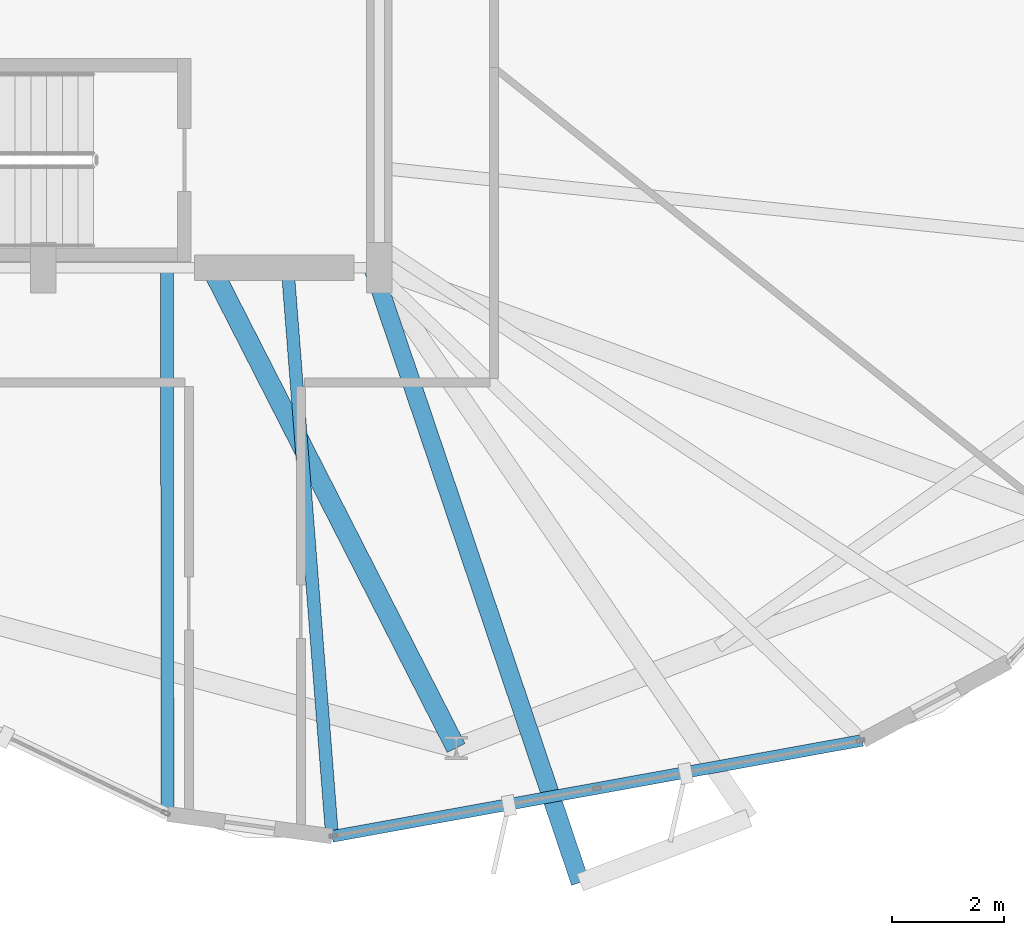
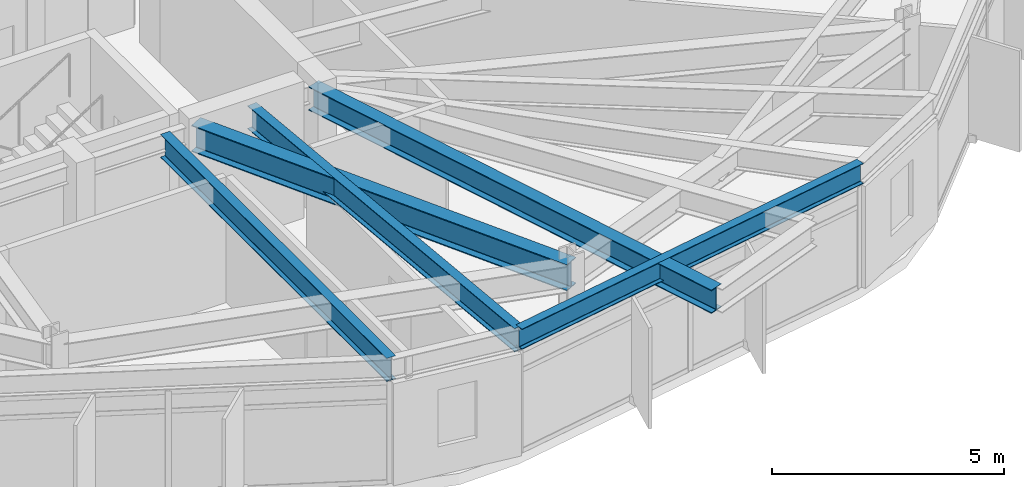
# One storey, part 6 of 27: 5 beams.
"""IFC4 building model written with IfcOpenShell, lengths in metres."""

from ifc_helpers import new_model, si_unit, direction, frame, origin, origin_2d, place, context, subcontext, project, spatial, i_section, extrude, material, material_profile, profile_set, type_object, element, save


model = new_model("IFC4")

# Units and contexts
model_context = context("Model", 3, precision=1e-05, world=origin(), true_north=direction((0.0, 1.0)))
body_context = subcontext(model_context, "Body", "Model", "MODEL_VIEW")
ifc_project = project(units=[si_unit("LENGTHUNIT", "METRE"), si_unit("AREAUNIT", "SQUARE_METRE"), si_unit("VOLUMEUNIT", "CUBIC_METRE"), si_unit("PLANEANGLEUNIT", "RADIAN"), si_unit("MASSUNIT", "GRAM", prefix="KILO")], contexts=[model_context])

# Site, building, storey
site_placement = place(None, origin())
site = spatial("IfcSite", under=ifc_project, at=site_placement, CompositionType="ELEMENT")
building_placement = place(site_placement, origin())
building = spatial("IfcBuilding", under=site, at=building_placement, Name="Soratama Intermodal Tower", CompositionType="ELEMENT")
storey_placement = place(building_placement, frame((0.0, 0.0, 208.60009765625)))
storey = spatial("IfcBuildingStorey", under=building, at=storey_placement, Name="L52", CompositionType="ELEMENT", Elevation=208.60009765625)

# Beams
ifc_material_1 = material(Name="Structural steel ASTM A992 Grade 50", Category="steel")
ifc_material_profile_1 = material_profile(ifc_material_1, i_section(OverallWidth=0.324951171875, OverallDepth=0.615966796875, WebThickness=0.013916015625, FlangeThickness=0.021484375, FilletRadius=0.013916015625, at=origin_2d()), Name="W24X117")
ifc_profile_set_1 = profile_set([ifc_material_profile_1], Name="Structural steel ASTM A992 Grade 50")
beam_type_1 = type_object("IfcBeamType", Name="BM-CANT-W24X117", PredefinedType="BEAM", material=ifc_profile_set_1)
beam_1_placement = place(storey_placement, frame((44.498046875, 14.9619140625, 2.991943359375), z_axis=(0.319702229886, -0.947518065372, 0.0), x_axis=(0.947518065372, 0.319702229886, 0.0)))
element("IfcBeam", 1, at=beam_1_placement, inside=storey, type_object=beam_type_1, Name="BM-L52-CANT-3-1", PredefinedType="BEAM", context=body_context, shape_type="SweptSolid", body=[
    extrude(i_section(OverallWidth=0.324951171875, OverallDepth=0.615966796875, WebThickness=0.013916015625, FlangeThickness=0.021484375, FilletRadius=0.013916015625, at=origin_2d()), origin(), (0.0, 0.0, 1.0), 11.544921875),
])
ifc_material_2 = material(Name="Structural steel ASTM A992 Grade 50", Category="steel")
ifc_material_profile_2 = material_profile(ifc_material_2, i_section(OverallWidth=0.35498046875, OverallDepth=0.695068359375, WebThickness=0.015380859375, FlangeThickness=0.02490234375, FilletRadius=0.01611328125, at=origin_2d()), Name="W27X146")
ifc_profile_set_2 = profile_set([ifc_material_profile_2], Name="Structural steel ASTM A992 Grade 50")
beam_type_2 = type_object("IfcBeamType", Name="BM-RING-W27X146", PredefinedType="BEAM", material=ifc_profile_set_2)
beam_2_placement = place(storey_placement, frame((41.60009765625, 15.0, 2.952392578125), z_axis=(0.454332323157, -0.890832273851, 0.0), x_axis=(0.890832273851, 0.454332323157, 0.0)))
element("IfcBeam", 2, at=beam_2_placement, inside=storey, type_object=beam_type_2, Name="BM-L52-RAD-08", PredefinedType="BEAM", context=body_context, shape_type="SweptSolid", body=[
    extrude(i_section(OverallWidth=0.35498046875, OverallDepth=0.695068359375, WebThickness=0.015380859375, FlangeThickness=0.02490234375, FilletRadius=0.01611328125, at=origin_2d()), origin(), (0.0, 0.0, 1.0), 9.624755859375),
])
ifc_material_3 = material(Name="Structural steel ASTM A992 Grade 50", Category="steel")
ifc_material_profile_3 = material_profile(ifc_material_3, i_section(OverallWidth=0.2099609375, OverallDepth=0.537109375, WebThickness=0.010986328125, FlangeThickness=0.017333984375, FilletRadius=0.012939453125, at=origin_2d()), Name="W21X68")
ifc_profile_set_3 = profile_set([ifc_material_profile_3], Name="Structural steel ASTM A992 Grade 50")
beam_type_3 = type_object("IfcBeamType", Name="BM-SPN-W21X68", PredefinedType="SPANDREL", material=ifc_profile_set_3)
beam_3_placement = place(storey_placement, frame((43.758056640625, 4.845947265625, 3.031494140625), z_axis=(0.983992660813, 0.178208988172, 0.0), x_axis=(-0.178208988172, 0.983992660813, 0.0)))
element("IfcBeam", 3, at=beam_3_placement, inside=storey, type_object=beam_type_3, Name="BS-L52-F07", PredefinedType="SPANDREL", context=body_context, shape_type="SweptSolid", body=[
    extrude(i_section(OverallWidth=0.2099609375, OverallDepth=0.537109375, WebThickness=0.010986328125, FlangeThickness=0.017333984375, FilletRadius=0.012939453125, at=origin_2d()), origin(), (0.0, 0.0, 1.0), 9.6240234375),
])
ifc_material_4 = material(Name="Structural steel ASTM A992 Grade 50", Category="steel")
ifc_material_profile_4 = material_profile(ifc_material_4, i_section(OverallWidth=0.22900390625, OverallDepth=0.612060546875, WebThickness=0.011962890625, FlangeThickness=0.01953125, FilletRadius=0.012939453125, at=origin_2d()), Name="W24X84")
ifc_profile_set_4 = profile_set([ifc_material_profile_4], Name="Structural steel ASTM A992 Grade 50")
beam_type_4 = type_object("IfcBeamType", Name="BM-TIE-W24X84", PredefinedType="BEAM", material=ifc_profile_set_4)
beam_4_placement = place(storey_placement, frame((40.81005859375, 14.9599609375, 2.993896484375), z_axis=(0.000829395512, -0.999999656051, 0.0), x_axis=(0.999999656051, 0.000829395512, 0.0)))
element("IfcBeam", 4, at=beam_4_placement, inside=storey, type_object=beam_type_4, Name="BM-L52-TIE1-06", PredefinedType="BEAM", context=body_context, shape_type="SweptSolid", body=[
    extrude(i_section(OverallWidth=0.22900390625, OverallDepth=0.612060546875, WebThickness=0.011962890625, FlangeThickness=0.01953125, FilletRadius=0.012939453125, at=origin_2d()), origin(), (0.0, 0.0, 1.0), 9.7138671875),
])
beam_5_placement = place(storey_placement, frame((42.967041015625, 14.9599609375, 2.993896484375), z_axis=(0.077971758535, -0.996955568153, 0.0), x_axis=(0.996955568153, 0.077971758535, 0.0)))
element("IfcBeam", 5, at=beam_5_placement, inside=storey, type_object=beam_type_4, Name="BM-L52-TIE0-07", PredefinedType="BEAM", context=body_context, shape_type="SweptSolid", body=[
    extrude(i_section(OverallWidth=0.22900390625, OverallDepth=0.612060546875, WebThickness=0.011962890625, FlangeThickness=0.01953125, FilletRadius=0.012939453125, at=origin_2d()), origin(), (0.0, 0.0, 1.0), 10.14501953125),
])

save(model, "model.ifc")
